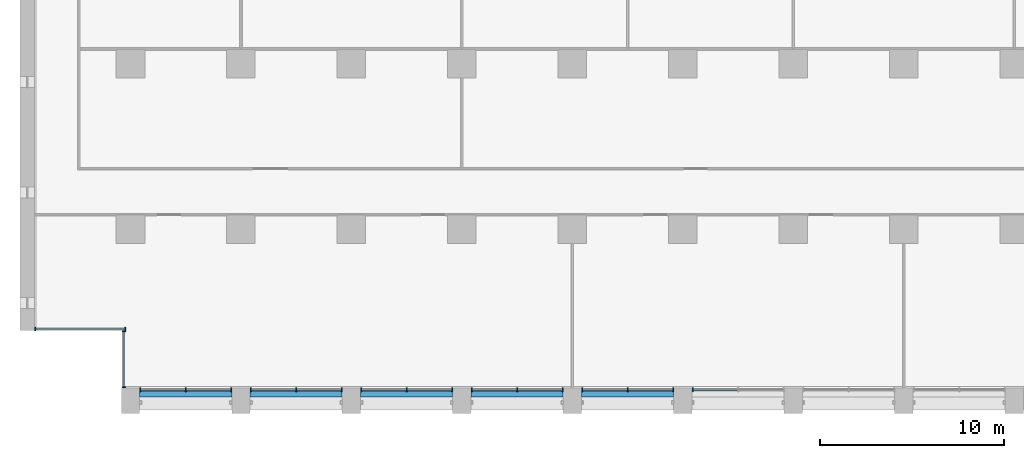
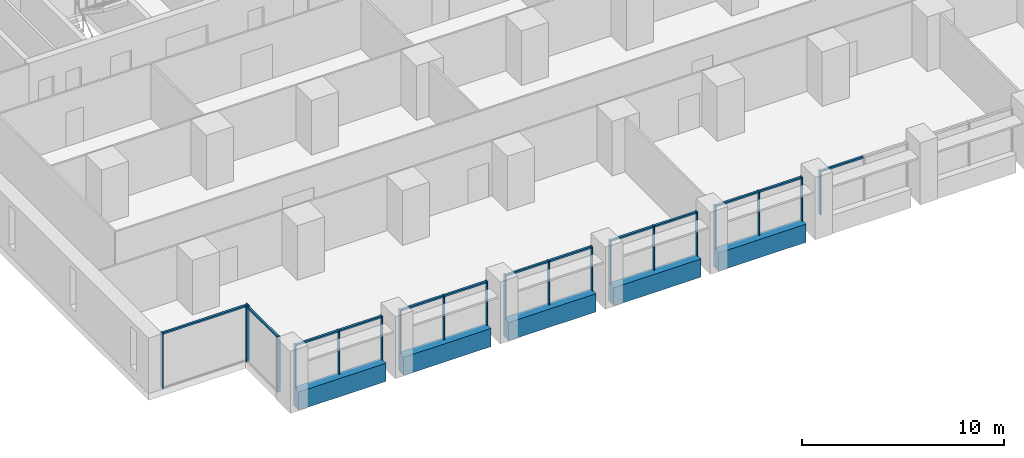
# One storey, part 2 of 17: 33 members, 5 beams, 8 elements without a shape of their own.
"""IFC4 building model written with IfcOpenShell, lengths in metres."""

from ifc_helpers import new_model, si_unit, direction, frame, origin, origin_2d, place, context, subcontext, project, spatial, rectangle, extrude, material, material_profile, profile_set, type_object, element, aggregate, save


model = new_model("IFC4")

# Units and contexts
model_context = context("Model", 3, precision=1e-05, world=origin(), true_north=direction((0.0, 1.0)))
body_context = subcontext(model_context, "Body", "Model", "MODEL_VIEW")
ifc_project = project(units=[si_unit("LENGTHUNIT", "METRE"), si_unit("AREAUNIT", "SQUARE_METRE"), si_unit("VOLUMEUNIT", "CUBIC_METRE"), si_unit("PLANEANGLEUNIT", "RADIAN"), si_unit("MASSUNIT", "GRAM", prefix="KILO")], contexts=[model_context])

# Site, building, storey
site_placement = place(None, origin())
site = spatial("IfcSite", under=ifc_project, at=site_placement, CompositionType="ELEMENT")
building_placement = place(site_placement, origin())
building = spatial("IfcBuilding", under=site, at=building_placement, Name="Calvaro Tower", CompositionType="ELEMENT")
storey_placement = place(building_placement, frame((0.0, 0.0, 71.25)))
storey = spatial("IfcBuildingStorey", under=building, at=storey_placement, Name="L17", CompositionType="ELEMENT", Elevation=71.25)

# Curtain wall, members
ifc_material_1 = material(Name="Anodised aluminium", Category="aluminium")
curtain_wall_type = type_object("IfcCurtainWallType", Name="Office curtain wall, lower zone", PredefinedType="NOTDEFINED", material=ifc_material_1)
curtain_wall_1_placement = place(storey_placement, origin())
curtain_wall_1 = element("IfcCurtainWall", 1, at=curtain_wall_1_placement, inside=storey, type_object=curtain_wall_type, Name="CW1 south curtain wall", PredefinedType="NOTDEFINED")
ifc_material_2 = material(Name="Anodised aluminium", Category="aluminium")
ifc_material_profile_1 = material_profile(ifc_material_2, rectangle(XDim=0.199951171875, YDim=0.06005859375, at=origin_2d()), Name="Mullion S1 60 x 200")
ifc_profile_set_1 = profile_set([ifc_material_profile_1], Name="Anodised aluminium")
member_type_1 = type_object("IfcMemberType", Name="Mullion S1 60 x 200", PredefinedType="MULLION", material=ifc_profile_set_1)
member_1_placement = place(storey_placement, frame((6.530029296875, 1.300048828125, 0.0), z_axis=(0.0, 0.0, 1.0), x_axis=(0.0, 1.0, 0.0)))
member_1 = element("IfcMember", 2, at=member_1_placement, type_object=member_type_1, Name="CW1 mullion 1", PredefinedType="MULLION", context=body_context, shape_type="SweptSolid", body=[
    extrude(rectangle(XDim=0.199951171875, YDim=0.06005859375, at=origin_2d()), origin(), (0.0, 0.0, 1.0), 2.64990234375),
])
member_2_placement = place(storey_placement, frame((9.0, 1.300048828125, 0.0), z_axis=(0.0, 0.0, 1.0), x_axis=(0.0, 1.0, 0.0)))
member_2 = element("IfcMember", 3, at=member_2_placement, type_object=member_type_1, Name="CW1 mullion 2", PredefinedType="MULLION", context=body_context, shape_type="SweptSolid", body=[
    extrude(rectangle(XDim=0.199951171875, YDim=0.06005859375, at=origin_2d()), origin(), (0.0, 0.0, 1.0), 2.64990234375),
])
member_3_placement = place(storey_placement, frame((11.469970703125, 1.300048828125, 0.0), z_axis=(0.0, 0.0, 1.0), x_axis=(0.0, 1.0, 0.0)))
member_3 = element("IfcMember", 4, at=member_3_placement, type_object=member_type_1, Name="CW1 mullion 3", PredefinedType="MULLION", context=body_context, shape_type="SweptSolid", body=[
    extrude(rectangle(XDim=0.199951171875, YDim=0.06005859375, at=origin_2d()), origin(), (0.0, 0.0, 1.0), 2.64990234375),
])

curtain_wall_2_placement = place(storey_placement, origin())
curtain_wall_2 = element("IfcCurtainWall", 5, at=curtain_wall_2_placement, inside=storey, type_object=curtain_wall_type, Name="CW1 south curtain wall", PredefinedType="NOTDEFINED")
member_4_placement = place(storey_placement, frame((12.530029296875, 1.300048828125, 0.0), z_axis=(0.0, 0.0, 1.0), x_axis=(0.0, 1.0, 0.0)))
member_4 = element("IfcMember", 6, at=member_4_placement, type_object=member_type_1, Name="CW1 mullion 1", PredefinedType="MULLION", context=body_context, shape_type="SweptSolid", body=[
    extrude(rectangle(XDim=0.199951171875, YDim=0.06005859375, at=origin_2d()), origin(), (0.0, 0.0, 1.0), 2.64990234375),
])
member_5_placement = place(storey_placement, frame((15.0, 1.300048828125, 0.0), z_axis=(0.0, 0.0, 1.0), x_axis=(0.0, 1.0, 0.0)))
member_5 = element("IfcMember", 7, at=member_5_placement, type_object=member_type_1, Name="CW1 mullion 2", PredefinedType="MULLION", context=body_context, shape_type="SweptSolid", body=[
    extrude(rectangle(XDim=0.199951171875, YDim=0.06005859375, at=origin_2d()), origin(), (0.0, 0.0, 1.0), 2.64990234375),
])
member_6_placement = place(storey_placement, frame((17.469970703125, 1.300048828125, 0.0), z_axis=(0.0, 0.0, 1.0), x_axis=(0.0, 1.0, 0.0)))
member_6 = element("IfcMember", 8, at=member_6_placement, type_object=member_type_1, Name="CW1 mullion 3", PredefinedType="MULLION", context=body_context, shape_type="SweptSolid", body=[
    extrude(rectangle(XDim=0.199951171875, YDim=0.06005859375, at=origin_2d()), origin(), (0.0, 0.0, 1.0), 2.64990234375),
])

curtain_wall_3_placement = place(storey_placement, origin())
curtain_wall_3 = element("IfcCurtainWall", 9, at=curtain_wall_3_placement, inside=storey, type_object=curtain_wall_type, Name="CW1 south curtain wall", PredefinedType="NOTDEFINED")
member_7_placement = place(storey_placement, frame((18.530029296875, 1.300048828125, 0.0), z_axis=(0.0, 0.0, 1.0), x_axis=(0.0, 1.0, 0.0)))
member_7 = element("IfcMember", 10, at=member_7_placement, type_object=member_type_1, Name="CW1 mullion 1", PredefinedType="MULLION", context=body_context, shape_type="SweptSolid", body=[
    extrude(rectangle(XDim=0.199951171875, YDim=0.06005859375, at=origin_2d()), origin(), (0.0, 0.0, 1.0), 2.64990234375),
])
member_8_placement = place(storey_placement, frame((21.0, 1.300048828125, 0.0), z_axis=(0.0, 0.0, 1.0), x_axis=(0.0, 1.0, 0.0)))
member_8 = element("IfcMember", 11, at=member_8_placement, type_object=member_type_1, Name="CW1 mullion 2", PredefinedType="MULLION", context=body_context, shape_type="SweptSolid", body=[
    extrude(rectangle(XDim=0.199951171875, YDim=0.06005859375, at=origin_2d()), origin(), (0.0, 0.0, 1.0), 2.64990234375),
])
member_9_placement = place(storey_placement, frame((23.469970703125, 1.300048828125, 0.0), z_axis=(0.0, 0.0, 1.0), x_axis=(0.0, 1.0, 0.0)))
member_9 = element("IfcMember", 12, at=member_9_placement, type_object=member_type_1, Name="CW1 mullion 3", PredefinedType="MULLION", context=body_context, shape_type="SweptSolid", body=[
    extrude(rectangle(XDim=0.199951171875, YDim=0.06005859375, at=origin_2d()), origin(), (0.0, 0.0, 1.0), 2.64990234375),
])

curtain_wall_4_placement = place(storey_placement, origin())
curtain_wall_4 = element("IfcCurtainWall", 13, at=curtain_wall_4_placement, inside=storey, type_object=curtain_wall_type, Name="CW1 south curtain wall", PredefinedType="NOTDEFINED")
member_10_placement = place(storey_placement, frame((24.530029296875, 1.300048828125, 0.0), z_axis=(0.0, 0.0, 1.0), x_axis=(0.0, 1.0, 0.0)))
member_10 = element("IfcMember", 14, at=member_10_placement, type_object=member_type_1, Name="CW1 mullion 1", PredefinedType="MULLION", context=body_context, shape_type="SweptSolid", body=[
    extrude(rectangle(XDim=0.199951171875, YDim=0.06005859375, at=origin_2d()), origin(), (0.0, 0.0, 1.0), 2.64990234375),
])
member_11_placement = place(storey_placement, frame((27.0, 1.300048828125, 0.0), z_axis=(0.0, 0.0, 1.0), x_axis=(0.0, 1.0, 0.0)))
member_11 = element("IfcMember", 15, at=member_11_placement, type_object=member_type_1, Name="CW1 mullion 2", PredefinedType="MULLION", context=body_context, shape_type="SweptSolid", body=[
    extrude(rectangle(XDim=0.199951171875, YDim=0.06005859375, at=origin_2d()), origin(), (0.0, 0.0, 1.0), 2.64990234375),
])
member_12_placement = place(storey_placement, frame((29.469970703125, 1.300048828125, 0.0), z_axis=(0.0, 0.0, 1.0), x_axis=(0.0, 1.0, 0.0)))
member_12 = element("IfcMember", 16, at=member_12_placement, type_object=member_type_1, Name="CW1 mullion 3", PredefinedType="MULLION", context=body_context, shape_type="SweptSolid", body=[
    extrude(rectangle(XDim=0.199951171875, YDim=0.06005859375, at=origin_2d()), origin(), (0.0, 0.0, 1.0), 2.64990234375),
])

curtain_wall_5_placement = place(storey_placement, origin())
curtain_wall_5 = element("IfcCurtainWall", 17, at=curtain_wall_5_placement, inside=storey, type_object=curtain_wall_type, Name="CW1 south curtain wall", PredefinedType="NOTDEFINED")
member_13_placement = place(storey_placement, frame((30.530029296875, 1.300048828125, 0.0), z_axis=(0.0, 0.0, 1.0), x_axis=(0.0, 1.0, 0.0)))
member_13 = element("IfcMember", 18, at=member_13_placement, type_object=member_type_1, Name="CW1 mullion 1", PredefinedType="MULLION", context=body_context, shape_type="SweptSolid", body=[
    extrude(rectangle(XDim=0.199951171875, YDim=0.06005859375, at=origin_2d()), origin(), (0.0, 0.0, 1.0), 2.64990234375),
])
member_14_placement = place(storey_placement, frame((33.0, 1.300048828125, 0.0), z_axis=(0.0, 0.0, 1.0), x_axis=(0.0, 1.0, 0.0)))
member_14 = element("IfcMember", 19, at=member_14_placement, type_object=member_type_1, Name="CW1 mullion 2", PredefinedType="MULLION", context=body_context, shape_type="SweptSolid", body=[
    extrude(rectangle(XDim=0.199951171875, YDim=0.06005859375, at=origin_2d()), origin(), (0.0, 0.0, 1.0), 2.64990234375),
])
member_15_placement = place(storey_placement, frame((35.469970703125, 1.300048828125, 0.0), z_axis=(0.0, 0.0, 1.0), x_axis=(0.0, 1.0, 0.0)))
member_15 = element("IfcMember", 20, at=member_15_placement, type_object=member_type_1, Name="CW1 mullion 3", PredefinedType="MULLION", context=body_context, shape_type="SweptSolid", body=[
    extrude(rectangle(XDim=0.199951171875, YDim=0.06005859375, at=origin_2d()), origin(), (0.0, 0.0, 1.0), 2.64990234375),
])

# Curtain wall, member
curtain_wall_6_placement = place(storey_placement, origin())
curtain_wall_6 = element("IfcCurtainWall", 21, at=curtain_wall_6_placement, inside=storey, type_object=curtain_wall_type, Name="CW1 south curtain wall", PredefinedType="NOTDEFINED")
member_16_placement = place(storey_placement, frame((36.530029296875, 1.300048828125, 0.0), z_axis=(0.0, 0.0, 1.0), x_axis=(0.0, 1.0, 0.0)))
member_16 = element("IfcMember", 22, at=member_16_placement, type_object=member_type_1, Name="CW1 mullion 1", PredefinedType="MULLION", context=body_context, shape_type="SweptSolid", body=[
    extrude(rectangle(XDim=0.199951171875, YDim=0.06005859375, at=origin_2d()), origin(), (0.0, 0.0, 1.0), 2.64990234375),
])

# Curtain wall, members
curtain_wall_7_placement = place(storey_placement, origin())
curtain_wall_7 = element("IfcCurtainWall", 23, at=curtain_wall_7_placement, inside=storey, type_object=curtain_wall_type, Name="CW1 corner curtain wall", PredefinedType="NOTDEFINED")
member_17_placement = place(storey_placement, frame((5.64990234375, 1.429931640625, 0.0), z_axis=(0.0, 0.0, 1.0), x_axis=(-1.0, 0.0, 0.0)))
member_17 = element("IfcMember", 24, at=member_17_placement, type_object=member_type_1, Name="CW1 mullion 1", PredefinedType="MULLION", context=body_context, shape_type="SweptSolid", body=[
    extrude(rectangle(XDim=0.199951171875, YDim=0.06005859375, at=origin_2d()), origin(), (0.0, 0.0, 1.0), 3.35009765625),
])
member_18_placement = place(storey_placement, frame((5.64990234375, 4.469970703125, 0.0), z_axis=(0.0, 0.0, 1.0), x_axis=(-1.0, 0.0, 0.0)))
member_18 = element("IfcMember", 25, at=member_18_placement, type_object=member_type_1, Name="CW1 mullion 2", PredefinedType="MULLION", context=body_context, shape_type="SweptSolid", body=[
    extrude(rectangle(XDim=0.199951171875, YDim=0.06005859375, at=origin_2d()), origin(), (0.0, 0.0, 1.0), 3.35009765625),
])

curtain_wall_8_placement = place(storey_placement, origin())
curtain_wall_8 = element("IfcCurtainWall", 26, at=curtain_wall_8_placement, inside=storey, type_object=curtain_wall_type, Name="CW1 corner curtain wall", PredefinedType="NOTDEFINED")
member_19_placement = place(storey_placement, frame((0.830078125, 4.60009765625, 0.0), z_axis=(0.0, 0.0, 1.0), x_axis=(0.0, 1.0, 0.0)))
member_19 = element("IfcMember", 27, at=member_19_placement, type_object=member_type_1, Name="CW1 mullion 1", PredefinedType="MULLION", context=body_context, shape_type="SweptSolid", body=[
    extrude(rectangle(XDim=0.199951171875, YDim=0.06005859375, at=origin_2d()), origin(), (0.0, 0.0, 1.0), 3.35009765625),
])
member_20_placement = place(storey_placement, frame((5.719970703125, 4.60009765625, 0.0), z_axis=(0.0, 0.0, 1.0), x_axis=(0.0, 1.0, 0.0)))
member_20 = element("IfcMember", 28, at=member_20_placement, type_object=member_type_1, Name="CW1 mullion 2", PredefinedType="MULLION", context=body_context, shape_type="SweptSolid", body=[
    extrude(rectangle(XDim=0.199951171875, YDim=0.06005859375, at=origin_2d()), origin(), (0.0, 0.0, 1.0), 3.35009765625),
])

# Beams
ifc_material_3 = material(Name="Concrete C50/60 precast", Category="concrete")
ifc_material_profile_2 = material_profile(ifc_material_3, rectangle(XDim=0.5, YDim=1.10009765625, at=origin_2d()), Name="RC 500x1100")
ifc_profile_set_2 = profile_set([ifc_material_profile_2], Name="Concrete C50/60 precast")
beam_type = type_object("IfcBeamType", Name="Spandrel beam 500x1100 C50/60", PredefinedType="SPANDREL", material=ifc_profile_set_2)
for number, where, z_axis, x_axis, name in (
    (29, (6.5, 1.14990234375, -0.550048828125), (1.0, 0.0, 0.0), (0.0, 1.0, 0.0), "Spandrel beam"),
    (30, (12.5, 1.14990234375, -0.550048828125), (1.0, 0.0, 0.0), (0.0, 1.0, 0.0), "Spandrel beam"),
    (31, (18.5, 1.14990234375, -0.550048828125), (1.0, 0.0, 0.0), (0.0, 1.0, 0.0), "Spandrel beam"),
    (32, (24.5, 1.14990234375, -0.550048828125), (1.0, 0.0, 0.0), (0.0, 1.0, 0.0), "Spandrel beam"),
    (33, (30.5, 1.14990234375, -0.550048828125), (1.0, 0.0, 0.0), (0.0, 1.0, 0.0), "Spandrel beam"),
):
    element("IfcBeam", number, at=place(storey_placement, frame(where, z_axis=z_axis, x_axis=x_axis)), inside=storey, type_object=beam_type, Name=name, PredefinedType="SPANDREL", context=body_context, shape_type="SweptSolid", body=[
        extrude(rectangle(XDim=0.5, YDim=1.10009765625, at=origin_2d()), origin(), (0.0, 0.0, 1.0), 5.0),
    ])

# Member
ifc_material_4 = material(Name="Anodised aluminium", Category="aluminium")
ifc_material_profile_3 = material_profile(ifc_material_4, rectangle(XDim=0.1201171875, YDim=0.10009765625, at=origin_2d()), Name="Transom S1 100 x 120")
ifc_profile_set_3 = profile_set([ifc_material_profile_3], Name="Anodised aluminium")
member_type_2 = type_object("IfcMemberType", Name="Transom S1 100 x 120", PredefinedType="USERDEFINED", material=ifc_profile_set_3)
member_21_placement = place(storey_placement, frame((6.56005859375, 1.300048828125, 2.60009765625), z_axis=(1.0, 0.0, 0.0), x_axis=(0.0, 1.0, 0.0)))
member_21 = element("IfcMember", 34, at=member_21_placement, type_object=member_type_2, Name="CW1 transom 1.1", ObjectType="TRANSOM", PredefinedType="USERDEFINED", context=body_context, shape_type="SweptSolid", body=[
    extrude(rectangle(XDim=0.1201171875, YDim=0.10009765625, at=origin_2d()), origin(), (0.0, 0.0, 1.0), 2.409912109375),
])

member_22_placement = place(storey_placement, frame((9.030029296875, 1.300048828125, 2.60009765625), z_axis=(1.0, 0.0, 0.0), x_axis=(0.0, 1.0, 0.0)))
member_22 = element("IfcMember", 35, at=member_22_placement, type_object=member_type_2, Name="CW1 transom 2.1", ObjectType="TRANSOM", PredefinedType="USERDEFINED", context=body_context, shape_type="SweptSolid", body=[
    extrude(rectangle(XDim=0.1201171875, YDim=0.10009765625, at=origin_2d()), origin(), (0.0, 0.0, 1.0), 2.409912109375),
])

aggregate(curtain_wall_1, [member_1, member_2, member_3, member_21, member_22])

member_23_placement = place(storey_placement, frame((12.56005859375, 1.300048828125, 2.60009765625), z_axis=(1.0, 0.0, 0.0), x_axis=(0.0, 1.0, 0.0)))
member_23 = element("IfcMember", 36, at=member_23_placement, type_object=member_type_2, Name="CW1 transom 1.1", ObjectType="TRANSOM", PredefinedType="USERDEFINED", context=body_context, shape_type="SweptSolid", body=[
    extrude(rectangle(XDim=0.1201171875, YDim=0.10009765625, at=origin_2d()), origin(), (0.0, 0.0, 1.0), 2.409912109375),
])

member_24_placement = place(storey_placement, frame((15.030029296875, 1.300048828125, 2.60009765625), z_axis=(1.0, 0.0, 0.0), x_axis=(0.0, 1.0, 0.0)))
member_24 = element("IfcMember", 37, at=member_24_placement, type_object=member_type_2, Name="CW1 transom 2.1", ObjectType="TRANSOM", PredefinedType="USERDEFINED", context=body_context, shape_type="SweptSolid", body=[
    extrude(rectangle(XDim=0.1201171875, YDim=0.10009765625, at=origin_2d()), origin(), (0.0, 0.0, 1.0), 2.409912109375),
])

aggregate(curtain_wall_2, [member_4, member_5, member_6, member_23, member_24])

member_25_placement = place(storey_placement, frame((18.56005859375, 1.300048828125, 2.60009765625), z_axis=(1.0, 0.0, 0.0), x_axis=(0.0, 1.0, 0.0)))
member_25 = element("IfcMember", 38, at=member_25_placement, type_object=member_type_2, Name="CW1 transom 1.1", ObjectType="TRANSOM", PredefinedType="USERDEFINED", context=body_context, shape_type="SweptSolid", body=[
    extrude(rectangle(XDim=0.1201171875, YDim=0.10009765625, at=origin_2d()), origin(), (0.0, 0.0, 1.0), 2.409912109375),
])

member_26_placement = place(storey_placement, frame((21.030029296875, 1.300048828125, 2.60009765625), z_axis=(1.0, 0.0, 0.0), x_axis=(0.0, 1.0, 0.0)))
member_26 = element("IfcMember", 39, at=member_26_placement, type_object=member_type_2, Name="CW1 transom 2.1", ObjectType="TRANSOM", PredefinedType="USERDEFINED", context=body_context, shape_type="SweptSolid", body=[
    extrude(rectangle(XDim=0.1201171875, YDim=0.10009765625, at=origin_2d()), origin(), (0.0, 0.0, 1.0), 2.409912109375),
])

aggregate(curtain_wall_3, [member_7, member_8, member_9, member_25, member_26])

member_27_placement = place(storey_placement, frame((24.56005859375, 1.300048828125, 2.60009765625), z_axis=(1.0, 0.0, 0.0), x_axis=(0.0, 1.0, 0.0)))
member_27 = element("IfcMember", 40, at=member_27_placement, type_object=member_type_2, Name="CW1 transom 1.1", ObjectType="TRANSOM", PredefinedType="USERDEFINED", context=body_context, shape_type="SweptSolid", body=[
    extrude(rectangle(XDim=0.1201171875, YDim=0.10009765625, at=origin_2d()), origin(), (0.0, 0.0, 1.0), 2.409912109375),
])

member_28_placement = place(storey_placement, frame((27.030029296875, 1.300048828125, 2.60009765625), z_axis=(1.0, 0.0, 0.0), x_axis=(0.0, 1.0, 0.0)))
member_28 = element("IfcMember", 41, at=member_28_placement, type_object=member_type_2, Name="CW1 transom 2.1", ObjectType="TRANSOM", PredefinedType="USERDEFINED", context=body_context, shape_type="SweptSolid", body=[
    extrude(rectangle(XDim=0.1201171875, YDim=0.10009765625, at=origin_2d()), origin(), (0.0, 0.0, 1.0), 2.409912109375),
])

aggregate(curtain_wall_4, [member_10, member_11, member_12, member_27, member_28])

member_29_placement = place(storey_placement, frame((30.56005859375, 1.300048828125, 2.60009765625), z_axis=(1.0, 0.0, 0.0), x_axis=(0.0, 1.0, 0.0)))
member_29 = element("IfcMember", 42, at=member_29_placement, type_object=member_type_2, Name="CW1 transom 1.1", ObjectType="TRANSOM", PredefinedType="USERDEFINED", context=body_context, shape_type="SweptSolid", body=[
    extrude(rectangle(XDim=0.1201171875, YDim=0.10009765625, at=origin_2d()), origin(), (0.0, 0.0, 1.0), 2.409912109375),
])

member_30_placement = place(storey_placement, frame((33.030029296875, 1.300048828125, 2.60009765625), z_axis=(1.0, 0.0, 0.0), x_axis=(0.0, 1.0, 0.0)))
member_30 = element("IfcMember", 43, at=member_30_placement, type_object=member_type_2, Name="CW1 transom 2.1", ObjectType="TRANSOM", PredefinedType="USERDEFINED", context=body_context, shape_type="SweptSolid", body=[
    extrude(rectangle(XDim=0.1201171875, YDim=0.10009765625, at=origin_2d()), origin(), (0.0, 0.0, 1.0), 2.409912109375),
])

aggregate(curtain_wall_5, [member_13, member_14, member_15, member_29, member_30])

member_31_placement = place(storey_placement, frame((36.56005859375, 1.300048828125, 2.60009765625), z_axis=(1.0, 0.0, 0.0), x_axis=(0.0, 1.0, 0.0)))
member_31 = element("IfcMember", 44, at=member_31_placement, type_object=member_type_2, Name="CW1 transom 1.1", ObjectType="TRANSOM", PredefinedType="USERDEFINED", context=body_context, shape_type="SweptSolid", body=[
    extrude(rectangle(XDim=0.1201171875, YDim=0.10009765625, at=origin_2d()), origin(), (0.0, 0.0, 1.0), 2.409912109375),
])

aggregate(curtain_wall_6, [member_16, member_31])

member_32_placement = place(storey_placement, frame((5.64990234375, 1.4599609375, 3.300048828125), z_axis=(0.0, 1.0, 0.0), x_axis=(-1.0, 0.0, 0.0)))
member_32 = element("IfcMember", 45, at=member_32_placement, type_object=member_type_2, Name="CW1 transom 1.1", ObjectType="TRANSOM", PredefinedType="USERDEFINED", context=body_context, shape_type="SweptSolid", body=[
    extrude(rectangle(XDim=0.1201171875, YDim=0.10009765625, at=origin_2d()), origin(), (0.0, 0.0, 1.0), 2.97998046875),
])

aggregate(curtain_wall_7, [member_17, member_18, member_32])

member_33_placement = place(storey_placement, frame((0.860107421875, 4.60009765625, 3.300048828125), z_axis=(1.0, 0.0, 0.0), x_axis=(0.0, 1.0, 0.0)))
member_33 = element("IfcMember", 46, at=member_33_placement, type_object=member_type_2, Name="CW1 transom 1.1", ObjectType="TRANSOM", PredefinedType="USERDEFINED", context=body_context, shape_type="SweptSolid", body=[
    extrude(rectangle(XDim=0.1201171875, YDim=0.10009765625, at=origin_2d()), origin(), (0.0, 0.0, 1.0), 4.829833984375),
])

aggregate(curtain_wall_8, [member_19, member_20, member_33])

save(model, "model.ifc")
